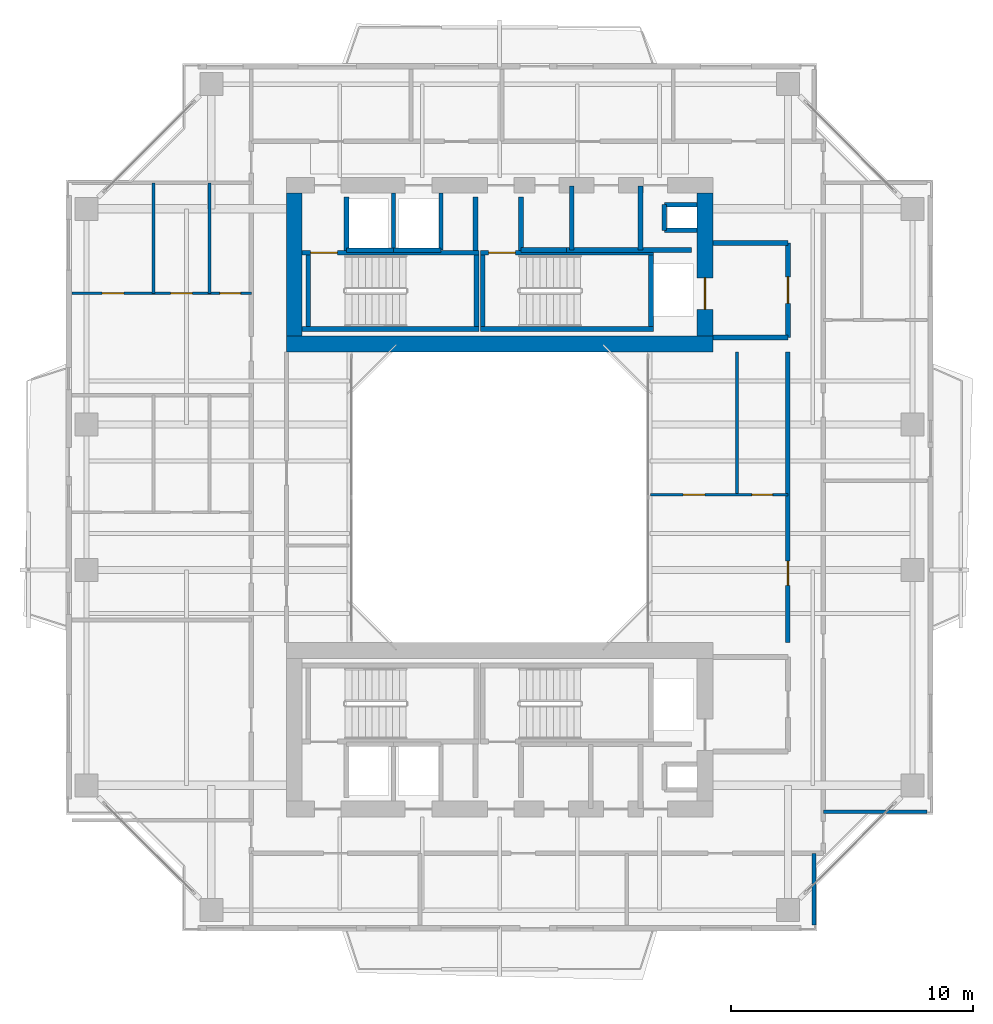
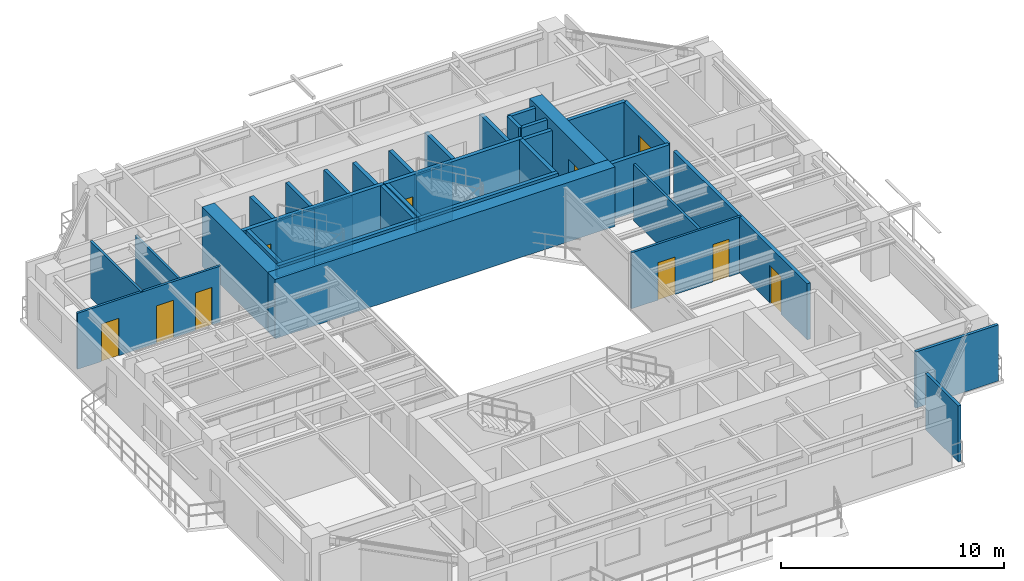
# One storey, part 12 of 17: 36 walls, 10 doors, 10 openings.
"""IFC4 building model written with IfcOpenShell, lengths in metres."""

from ifc_helpers import new_model, si_unit, direction, frame, frame_2d, origin, place, context, subcontext, project, spatial, rectangle, extrude, source, transform, mapped, material, layer, layer_set, type_object, element, fill, save


model = new_model("IFC4")

# Units and contexts
model_context = context("Model", 3, precision=1e-05, world=origin(), true_north=direction((0.0, 1.0)))
body_context = subcontext(model_context, "Body", "Model", "MODEL_VIEW")
ifc_project = project(units=[si_unit("LENGTHUNIT", "METRE"), si_unit("AREAUNIT", "SQUARE_METRE"), si_unit("VOLUMEUNIT", "CUBIC_METRE"), si_unit("PLANEANGLEUNIT", "RADIAN"), si_unit("MASSUNIT", "GRAM", prefix="KILO"), si_unit("THERMODYNAMICTEMPERATUREUNIT", "KELVIN"), si_unit("POWERUNIT", "WATT")], contexts=[model_context])

# Site, building, storey
site_placement = place(None, origin())
site = spatial("IfcSite", under=ifc_project, at=site_placement, CompositionType="ELEMENT")
building_placement = place(site_placement, origin())
building = spatial("IfcBuilding", under=site, at=building_placement, Name="Qiaomeng Ring Towers", CompositionType="ELEMENT")
storey_placement = place(building_placement, frame((0.0, 0.0, 150.25)))
storey = spatial("IfcBuildingStorey", under=building, at=storey_placement, Name="L43", CompositionType="ELEMENT", Elevation=150.25)

# Walls
ifc_material_1 = material(Name="Autoclaved aerated concrete block", Category="concrete")
ifc_layer_1 = layer(ifc_material_1, 0.199951171875, Name="Autoclaved aerated concrete block")
ifc_layer_set_1 = layer_set([ifc_layer_1], Name="Autoclaved aerated concrete block")
wall_type_1 = type_object("IfcWallType", Name="ARC-WL-PW1", PredefinedType="PARTITIONING", material=ifc_layer_set_1)
for number, where, z_axis, x_axis, name in (
    (1, (27.800048828125, 29.60009765625, 0.0), (0.0, 0.0, 1.0), (1.0, 0.0, 0.0), "L43 Interior Wall PW1"),
    (2, (27.800048828125, 33.5, 0.0), (0.0, 0.0, 1.0), (1.0, 0.0, 0.0), "L43 Interior Wall PW1"),
):
    element("IfcWall", number, at=place(storey_placement, frame(where, z_axis=z_axis, x_axis=x_axis)), inside=storey, type_object=wall_type_1, Name=name, PredefinedType="PARTITIONING", context=body_context, shape_type="SweptSolid", body=[
        extrude(rectangle(XDim=3.099853515625, YDim=0.199951171875, at=frame_2d((1.5498046875, 0.0))), origin(), (0.0, 0.0, 1.0), 3.070068359375),
    ])

# Wall, opening, door
wall_1_placement = place(storey_placement, frame((30.89990234375, 29.60009765625, 0.0), z_axis=(0.0, 0.0, 1.0), x_axis=(0.0, 1.0, 0.0)))
wall_1 = element("IfcWall", 3, at=wall_1_placement, inside=storey, type_object=wall_type_1, Name="L43 Interior Wall PW1", PredefinedType="PARTITIONING", context=body_context, shape_type="SweptSolid", body=[
    extrude(rectangle(XDim=3.89990234375, YDim=0.199951171875, at=frame_2d((1.949951171875, 0.0))), origin(), (0.0, 0.0, 1.0), 3.070068359375),
])
opening_1_placement = place(wall_1_placement, frame((1.39990234375, 0.0, 0.0)))
opening_1 = element("IfcOpeningElement", 4, at=opening_1_placement, cuts=wall_1, Name="Opening FD3", PredefinedType="OPENING", context=body_context, shape_type="SweptSolid", body=[
    extrude(rectangle(XDim=1.10009765625, YDim=2.050048828125, at=frame_2d((0.550048828125, 1.02490234375))), frame((0.0, 0.10986328125, 0.0), z_axis=(0.0, -1.0, 0.0), x_axis=(1.0, 0.0, 0.0)), (0.0, 0.0, 1.0), 0.219970703125),
])
ifc_material_2 = material(Name="Galvanised steel", Category="steel")
door_type_1 = type_object("IfcDoorType", Name="ARC-DR-FD3", OperationType="NOTDEFINED", PredefinedType="DOOR", material=ifc_material_2)
shared_shape_1 = source(origin(), body_context, "Body", "SweptSolid", [
    extrude(rectangle(XDim=1.10009765625, YDim=2.050048828125, at=frame_2d((0.550048828125, 1.02490234375))), frame((0.0, 0.02490234375, 0.0), z_axis=(0.0, -1.0, 0.0), x_axis=(1.0, 0.0, 0.0)), (0.0, 0.0, 1.0), 0.050048828125),
])
door_1_placement = place(opening_1_placement, origin())
door_1 = element("IfcDoor", 5, at=door_1_placement, inside=storey, type_object=door_type_1, Name="L43 North FF Lobby Door", OperationType="SINGLE_SWING_RIGHT", OverallHeight=2.050048828125, OverallWidth=1.10009765625, PredefinedType="DOOR", context=body_context, shape_type="MappedRepresentation", body=[
    mapped(shared_shape_1, transform((0.0, 0.0, 0.0), x_axis=(1.0, 0.0, 0.0), y_axis=(0.0, 1.0, 0.0), z_axis=(0.0, 0.0, 1.0), scale=1.0)),
])
fill(opening_1, door_1)

# Walls
for number, where, z_axis, x_axis, name in (
    (6, (12.679931640625, 33.18994140625, 0.0), (0.0, 0.0, 1.0), (0.0, 1.0, 0.0), "L43 Interior Wall PW1"),
    (7, (18.0, 33.18994140625, 0.0), (0.0, 0.0, 1.0), (0.0, 1.0, 0.0), "L43 Interior Wall PW1"),
    (8, (19.8798828125, 33.18994140625, 0.0), (0.0, 0.0, 1.0), (0.0, 1.0, 0.0), "L43 Interior Wall PW1"),
):
    element("IfcWall", number, at=place(storey_placement, frame(where, z_axis=z_axis, x_axis=x_axis)), inside=storey, type_object=wall_type_1, Name=name, PredefinedType="PARTITIONING", context=body_context, shape_type="SweptSolid", body=[
        extrude(rectangle(XDim=2.2099609375, YDim=0.199951171875, at=frame_2d((1.10498046875, 0.0))), origin(), (0.0, 0.0, 1.0), 3.070068359375),
    ])
wall_2_placement = place(storey_placement, frame((24.820068359375, 33.199951171875, 0.0), z_axis=(0.0, 0.0, 1.0), x_axis=(0.0, 1.0, 0.0)))
element("IfcWall", 9, at=wall_2_placement, inside=storey, type_object=wall_type_1, Name="L43 Interior Wall PW1", PredefinedType="PARTITIONING", context=body_context, shape_type="SweptSolid", body=[
    extrude(rectangle(XDim=2.650146484375, YDim=0.199951171875, at=frame_2d((1.3251953125, 0.0))), origin(), (0.0, 0.0, 1.0), 3.070068359375),
])
wall_3_placement = place(storey_placement, frame((19.8798828125, 33.199951171875, 0.0), z_axis=(0.0, 0.0, 1.0), x_axis=(1.0, 0.0, 0.0)))
element("IfcWall", 10, at=wall_3_placement, inside=storey, type_object=wall_type_1, Name="L43 Interior Wall PW1", PredefinedType="PARTITIONING", context=body_context, shape_type="SweptSolid", body=[
    extrude(rectangle(XDim=1.8701171875, YDim=0.199951171875, at=frame_2d((0.93505859375, 0.0))), origin(), (0.0, 0.0, 1.0), 3.070068359375),
])
wall_4_placement = place(storey_placement, frame((21.97998046875, 33.199951171875, 0.0), z_axis=(0.0, 0.0, 1.0), x_axis=(0.0, 1.0, 0.0)))
element("IfcWall", 11, at=wall_4_placement, inside=storey, type_object=wall_type_1, Name="L43 Interior Wall PW1", PredefinedType="PARTITIONING", context=body_context, shape_type="SweptSolid", body=[
    extrude(rectangle(XDim=2.650146484375, YDim=0.199951171875, at=frame_2d((1.3251953125, 0.0))), origin(), (0.0, 0.0, 1.0), 3.070068359375),
])
wall_5_placement = place(storey_placement, frame((21.75, 33.199951171875, 0.0), z_axis=(0.0, 0.0, 1.0), x_axis=(1.0, 0.0, 0.0)))
element("IfcWall", 12, at=wall_5_placement, inside=storey, type_object=wall_type_1, Name="L43 Interior Wall PW1", PredefinedType="PARTITIONING", context=body_context, shape_type="SweptSolid", body=[
    extrude(rectangle(XDim=5.169921875, YDim=0.199951171875, at=frame_2d((2.5849609375, 0.0))), origin(), (0.0, 0.0, 1.0), 3.070068359375),
])

# Wall, opening, door
ifc_layer_2 = layer(ifc_material_1, 0.179931640625, Name="Autoclaved aerated concrete block")
ifc_layer_set_2 = layer_set([ifc_layer_2], Name="Autoclaved aerated concrete block")
wall_type_2 = type_object("IfcWallType", Name="ARC-WL-PW2", PredefinedType="PARTITIONING", material=ifc_layer_set_2)
wall_6_placement = place(storey_placement, frame((30.89990234375, 17.0, 0.0), z_axis=(0.0, 0.0, 1.0), x_axis=(0.0, 1.0, 0.0)))
wall_6 = element("IfcWall", 13, at=wall_6_placement, inside=storey, type_object=wall_type_2, Name="L43 Interior Wall PW2", PredefinedType="PARTITIONING", context=body_context, shape_type="SweptSolid", body=[
    extrude(rectangle(XDim=12.0, YDim=0.179931640625, at=frame_2d((6.0, 0.0))), origin(), (0.0, 0.0, 1.0), 3.070068359375),
])
opening_2_placement = place(wall_6_placement, frame((2.360107421875, 0.0, 0.0)))
opening_2 = element("IfcOpeningElement", 14, at=opening_2_placement, cuts=wall_6, Name="Opening FD4", PredefinedType="OPENING", context=body_context, shape_type="SweptSolid", body=[
    extrude(rectangle(XDim=1.0, YDim=2.050048828125, at=frame_2d((0.5, 1.02490234375))), frame((0.0, 0.099853515625, 0.0), z_axis=(0.0, -1.0, 0.0), x_axis=(1.0, 0.0, 0.0)), (0.0, 0.0, 1.0), 0.199951171875),
])
ifc_material_3 = material(Name="Engineered fire-rated oak timber", Category="wood")
door_type_2 = type_object("IfcDoorType", Name="ARC-DR-FD4", OperationType="NOTDEFINED", PredefinedType="DOOR", material=ifc_material_3)
shared_shape_2 = source(origin(), body_context, "Body", "SweptSolid", [
    extrude(rectangle(XDim=1.0, YDim=2.050048828125, at=frame_2d((0.5, 1.02490234375))), frame((0.0, 0.02490234375, 0.0), z_axis=(0.0, -1.0, 0.0), x_axis=(1.0, 0.0, 0.0)), (0.0, 0.0, 1.0), 0.050048828125),
])
door_2_placement = place(opening_2_placement, origin())
door_2 = element("IfcDoor", 15, at=door_2_placement, inside=storey, type_object=door_type_2, Name="L43 Door FD4", OperationType="SINGLE_SWING_RIGHT", OverallHeight=2.050048828125, OverallWidth=1.0, PredefinedType="DOOR", context=body_context, shape_type="MappedRepresentation", body=[
    mapped(shared_shape_2, transform((0.0, 0.0, 0.0), x_axis=(1.0, 0.0, 0.0), y_axis=(0.0, 1.0, 0.0), z_axis=(0.0, 0.0, 1.0), scale=1.0)),
])
fill(opening_2, door_2)

# Walls
ifc_material_4 = material(Name="Gypsum fireboard steel-stud partition", Category="steel")
ifc_layer_3 = layer(ifc_material_4, 0.14990234375, Name="Gypsum fireboard steel-stud partition")
ifc_layer_set_3 = layer_set([ifc_layer_3], Name="Gypsum fireboard steel-stud partition")
wall_type_3 = type_object("IfcWallType", Name="ARC-WL-PW3", PredefinedType="PARTITIONING", material=ifc_layer_set_3)
wall_7_placement = place(storey_placement, frame((31.97998046875, 5.35009765625, 0.0), z_axis=(0.0, 0.0, 1.0), x_axis=(0.0, 1.0, 0.0)))
element("IfcWall", 16, at=wall_7_placement, inside=storey, type_object=wall_type_3, Name="L43 Interior Wall PW3", PredefinedType="PARTITIONING", context=body_context, shape_type="SweptSolid", body=[
    extrude(rectangle(XDim=2.949951171875, YDim=0.14990234375, at=frame_2d((1.47509765625, 0.0))), origin(), (0.0, 0.0, 1.0), 3.070068359375),
])
wall_8_placement = place(storey_placement, frame((32.360107421875, 10.02001953125, 0.0), z_axis=(0.0, 0.0, 1.0), x_axis=(1.0, 0.0, 0.0)))
element("IfcWall", 17, at=wall_8_placement, inside=storey, type_object=wall_type_3, Name="L43 Interior Wall PW3", PredefinedType="PARTITIONING", context=body_context, shape_type="SweptSolid", body=[
    extrude(rectangle(XDim=4.289794921875, YDim=0.14990234375, at=frame_2d((2.14501953125, 0.0))), origin(), (0.0, 0.0, 1.0), 3.070068359375),
])

# Wall, openings, doors
ifc_material_5 = material(Name="Moisture-resistant gypsum steel-stud partition", Category="steel")
ifc_layer_4 = layer(ifc_material_5, 0.1201171875, Name="Moisture-resistant gypsum steel-stud partition")
ifc_layer_set_4 = layer_set([ifc_layer_4], Name="Moisture-resistant gypsum steel-stud partition")
wall_type_4 = type_object("IfcWallType", Name="ARC-WL-PW4", PredefinedType="PLUMBINGWALL", material=ifc_layer_set_4)
wall_9_placement = place(storey_placement, frame((1.35009765625, 31.419921875, 0.0), z_axis=(0.0, 0.0, 1.0), x_axis=(1.0, 0.0, 0.0)))
wall_9 = element("IfcWall", 18, at=wall_9_placement, inside=storey, type_object=wall_type_4, Name="L43 Interior Wall PW4", PredefinedType="PLUMBINGWALL", context=body_context, shape_type="SweptSolid", body=[
    extrude(rectangle(XDim=7.39990234375, YDim=0.1201171875, at=frame_2d((3.699951171875, 0.0))), origin(), (0.0, 0.0, 1.0), 3.070068359375),
])
opening_3_placement = place(wall_9_placement, frame((1.239990234375, 0.0, 0.0)))
opening_3 = element("IfcOpeningElement", 19, at=opening_3_placement, cuts=wall_9, Name="Opening ID1", PredefinedType="OPENING", context=body_context, shape_type="SweptSolid", body=[
    extrude(rectangle(XDim=0.89990234375, YDim=2.050048828125, at=frame_2d((0.449951171875, 1.02490234375))), frame((0.0, 0.070068359375, 0.0), z_axis=(0.0, -1.0, 0.0), x_axis=(1.0, 0.0, 0.0)), (0.0, 0.0, 1.0), 0.14013671875),
])
opening_4_placement = place(wall_9_placement, frame((4.070068359375, 0.0, 0.0)))
opening_4 = element("IfcOpeningElement", 20, at=opening_4_placement, cuts=wall_9, Name="Opening ID1", PredefinedType="OPENING", context=body_context, shape_type="SweptSolid", body=[
    extrude(rectangle(XDim=0.89990234375, YDim=2.050048828125, at=frame_2d((0.449951171875, 1.02490234375))), frame((0.0, 0.070068359375, 0.0), z_axis=(0.0, -1.0, 0.0), x_axis=(1.0, 0.0, 0.0)), (0.0, 0.0, 1.0), 0.14013671875),
])
opening_5_placement = place(wall_9_placement, frame((6.10498046875, 0.0, 0.0)))
opening_5 = element("IfcOpeningElement", 21, at=opening_5_placement, cuts=wall_9, Name="Opening ID2", PredefinedType="OPENING", context=body_context, shape_type="SweptSolid", body=[
    extrude(rectangle(XDim=0.85009765625, YDim=2.050048828125, at=frame_2d((0.425048828125, 1.02490234375))), frame((0.0, 0.070068359375, 0.0), z_axis=(0.0, -1.0, 0.0), x_axis=(1.0, 0.0, 0.0)), (0.0, 0.0, 1.0), 0.14013671875),
])
ifc_material_6 = material(Name="Moisture-resistant engineered timber", Category="wood")
door_type_3 = type_object("IfcDoorType", Name="ARC-DR-ID2", OperationType="NOTDEFINED", PredefinedType="DOOR", material=ifc_material_6)
shared_shape_3 = source(origin(), body_context, "Body", "SweptSolid", [
    extrude(rectangle(XDim=0.85009765625, YDim=2.050048828125, at=frame_2d((0.425048828125, 1.02490234375))), frame((0.0, 0.02490234375, 0.0), z_axis=(0.0, -1.0, 0.0), x_axis=(1.0, 0.0, 0.0)), (0.0, 0.0, 1.0), 0.050048828125),
])
door_3_placement = place(opening_5_placement, origin())
door_3 = element("IfcDoor", 22, at=door_3_placement, inside=storey, type_object=door_type_3, Name="L43 Door ID2", OperationType="SINGLE_SWING_RIGHT", OverallHeight=2.050048828125, OverallWidth=0.85009765625, PredefinedType="DOOR", context=body_context, shape_type="MappedRepresentation", body=[
    mapped(shared_shape_3, transform((0.0, 0.0, 0.0), x_axis=(1.0, 0.0, 0.0), y_axis=(0.0, 1.0, 0.0), z_axis=(0.0, 0.0, 1.0), scale=1.0)),
])
fill(opening_5, door_3)
ifc_material_7 = material(Name="Engineered oak timber", Category="wood")
door_type_4 = type_object("IfcDoorType", Name="ARC-DR-ID1", OperationType="NOTDEFINED", PredefinedType="DOOR", material=ifc_material_7)
shared_shape_4 = source(origin(), body_context, "Body", "SweptSolid", [
    extrude(rectangle(XDim=0.89990234375, YDim=2.050048828125, at=frame_2d((0.449951171875, 1.02490234375))), frame((0.0, 0.02490234375, 0.0), z_axis=(0.0, -1.0, 0.0), x_axis=(1.0, 0.0, 0.0)), (0.0, 0.0, 1.0), 0.050048828125),
])
door_4_placement = place(opening_3_placement, origin())
door_4 = element("IfcDoor", 23, at=door_4_placement, inside=storey, type_object=door_type_4, Name="L43 Door ID1", OperationType="SINGLE_SWING_RIGHT", OverallHeight=2.050048828125, OverallWidth=0.89990234375, PredefinedType="DOOR", context=body_context, shape_type="MappedRepresentation", body=[
    mapped(shared_shape_4, transform((0.0, 0.0, 0.0), x_axis=(1.0, 0.0, 0.0), y_axis=(0.0, 1.0, 0.0), z_axis=(0.0, 0.0, 1.0), scale=1.0)),
])
fill(opening_3, door_4)
door_5_placement = place(opening_4_placement, origin())
door_5 = element("IfcDoor", 24, at=door_5_placement, inside=storey, type_object=door_type_4, Name="L43 Door ID1", OperationType="SINGLE_SWING_LEFT", OverallHeight=2.050048828125, OverallWidth=0.89990234375, PredefinedType="DOOR", context=body_context, shape_type="MappedRepresentation", body=[
    mapped(shared_shape_4, transform((0.0, 0.0, 0.0), x_axis=(1.0, 0.0, 0.0), y_axis=(0.0, 1.0, 0.0), z_axis=(0.0, 0.0, 1.0), scale=1.0)),
])
fill(opening_4, door_5)

# Walls
wall_10_placement = place(storey_placement, frame((4.7099609375, 31.419921875, 0.0), z_axis=(0.0, 0.0, 1.0), x_axis=(0.0, 1.0, 0.0)))
element("IfcWall", 25, at=wall_10_placement, inside=storey, type_object=wall_type_4, Name="L43 Interior Wall PW4", PredefinedType="PLUMBINGWALL", context=body_context, shape_type="SweptSolid", body=[
    extrude(rectangle(XDim=4.56005859375, YDim=0.1201171875, at=frame_2d((2.280029296875, 0.0))), origin(), (0.0, 0.0, 1.0), 3.070068359375),
])
wall_11_placement = place(storey_placement, frame((7.030029296875, 31.419921875, 0.0), z_axis=(0.0, 0.0, 1.0), x_axis=(0.0, 1.0, 0.0)))
element("IfcWall", 26, at=wall_11_placement, inside=storey, type_object=wall_type_4, Name="L43 Interior Wall PW4", PredefinedType="PLUMBINGWALL", context=body_context, shape_type="SweptSolid", body=[
    extrude(rectangle(XDim=4.56005859375, YDim=0.1201171875, at=frame_2d((2.280029296875, 0.0))), origin(), (0.0, 0.0, 1.0), 2.576904296875),
])

# Wall, openings, doors
wall_12_placement = place(storey_placement, frame((25.219970703125, 23.10009765625, 0.0), z_axis=(0.0, 0.0, 1.0), x_axis=(1.0, 0.0, 0.0)))
wall_12 = element("IfcWall", 27, at=wall_12_placement, inside=storey, type_object=wall_type_4, Name="L43 Interior Wall PW4", PredefinedType="PLUMBINGWALL", context=body_context, shape_type="SweptSolid", body=[
    extrude(rectangle(XDim=5.679931640625, YDim=0.1201171875, at=frame_2d((2.83984375, 0.0))), origin(), (0.0, 0.0, 1.0), 3.070068359375),
])
opening_6_placement = place(wall_12_placement, frame((1.35009765625, 0.0, 0.0)))
opening_6 = element("IfcOpeningElement", 28, at=opening_6_placement, cuts=wall_12, Name="Opening ID1", PredefinedType="OPENING", context=body_context, shape_type="SweptSolid", body=[
    extrude(rectangle(XDim=0.89990234375, YDim=2.050048828125, at=frame_2d((0.449951171875, 1.02490234375))), frame((0.0, 0.070068359375, 0.0), z_axis=(0.0, -1.0, 0.0), x_axis=(1.0, 0.0, 0.0)), (0.0, 0.0, 1.0), 0.14013671875),
])
opening_7_placement = place(wall_12_placement, frame((4.195068359375, 0.0, 0.0)))
opening_7 = element("IfcOpeningElement", 29, at=opening_7_placement, cuts=wall_12, Name="Opening ID2", PredefinedType="OPENING", context=body_context, shape_type="SweptSolid", body=[
    extrude(rectangle(XDim=0.85009765625, YDim=2.050048828125, at=frame_2d((0.425048828125, 1.02490234375))), frame((0.0, 0.070068359375, 0.0), z_axis=(0.0, -1.0, 0.0), x_axis=(1.0, 0.0, 0.0)), (0.0, 0.0, 1.0), 0.14013671875),
])
door_6_placement = place(opening_7_placement, origin())
door_6 = element("IfcDoor", 30, at=door_6_placement, inside=storey, type_object=door_type_3, Name="L43 Door ID2", OperationType="SINGLE_SWING_LEFT", OverallHeight=2.050048828125, OverallWidth=0.85009765625, PredefinedType="DOOR", context=body_context, shape_type="MappedRepresentation", body=[
    mapped(shared_shape_3, transform((0.0, 0.0, 0.0), x_axis=(1.0, 0.0, 0.0), y_axis=(0.0, 1.0, 0.0), z_axis=(0.0, 0.0, 1.0), scale=1.0)),
])
fill(opening_7, door_6)
door_7_placement = place(opening_6_placement, origin())
door_7 = element("IfcDoor", 31, at=door_7_placement, inside=storey, type_object=door_type_4, Name="L43 Door ID1", OperationType="SINGLE_SWING_RIGHT", OverallHeight=2.050048828125, OverallWidth=0.89990234375, PredefinedType="DOOR", context=body_context, shape_type="MappedRepresentation", body=[
    mapped(shared_shape_4, transform((0.0, 0.0, 0.0), x_axis=(1.0, 0.0, 0.0), y_axis=(0.0, 1.0, 0.0), z_axis=(0.0, 0.0, 1.0), scale=1.0)),
])
fill(opening_6, door_7)

# Walls
wall_13_placement = place(storey_placement, frame((28.800048828125, 23.10009765625, 0.0), z_axis=(0.0, 0.0, 1.0), x_axis=(0.0, 1.0, 0.0)))
element("IfcWall", 32, at=wall_13_placement, inside=storey, type_object=wall_type_4, Name="L43 Interior Wall PW4", PredefinedType="PLUMBINGWALL", context=body_context, shape_type="SweptSolid", body=[
    extrude(rectangle(XDim=5.89990234375, YDim=0.1201171875, at=frame_2d((2.949951171875, 0.0))), origin(), (0.0, 0.0, 1.0), 3.070068359375),
])
ifc_material_8 = material(Name="Concrete C40", Category="concrete")
ifc_layer_5 = layer(ifc_material_8, 0.199951171875, Name="Concrete C40")
ifc_layer_set_5 = layer_set([ifc_layer_5], Name="Concrete C40")
wall_type_5 = type_object("IfcWallType", Name="STR-WL-STSHAFT", PredefinedType="SHEAR", material=ifc_layer_set_5)
wall_14_placement = place(storey_placement, frame((12.679931640625, 33.199951171875, 0.0), z_axis=(0.0, 0.0, 1.0), x_axis=(1.0, 0.0, 0.0)))
element("IfcWall", 33, at=wall_14_placement, inside=storey, type_object=wall_type_5, Name="L43 Lift LP5 Shaft Back Wall", PredefinedType="SHEAR", context=body_context, shape_type="SweptSolid", body=[
    extrude(rectangle(XDim=1.940185546875, YDim=0.179931640625, at=frame_2d((0.97021484375, 0.0))), origin(), (0.0, 0.0, 1.0), 3.070068359375),
])
wall_15_placement = place(storey_placement, frame((14.6201171875, 33.199951171875, 0.0), z_axis=(0.0, 0.0, 1.0), x_axis=(0.0, 1.0, 0.0)))
element("IfcWall", 34, at=wall_15_placement, inside=storey, type_object=wall_type_5, Name="L43 Lift LP5-LP3 Shaft Divider Wall", PredefinedType="SHEAR", context=body_context, shape_type="SweptSolid", body=[
    extrude(rectangle(XDim=2.35009765625, YDim=0.179931640625, at=frame_2d((1.175048828125, 0.0))), origin(), (0.0, 0.0, 1.0), 3.070068359375),
])
wall_16_placement = place(storey_placement, frame((25.800048828125, 34.02001953125, 0.0), z_axis=(0.0, 0.0, 1.0), x_axis=(0.0, 1.0, 0.0)))
element("IfcWall", 35, at=wall_16_placement, inside=storey, type_object=wall_type_5, Name="L43 Riser RSR1 West Shaft Wall N", PredefinedType="SHEAR", context=body_context, shape_type="SweptSolid", body=[
    extrude(rectangle(XDim=1.06005859375, YDim=0.179931640625, at=frame_2d((0.530029296875, 0.0))), origin(), (0.0, 0.0, 1.0), 3.070068359375),
])
for number, where, z_axis, x_axis, name in (
    (36, (25.800048828125, 35.080078125, 0.0), (0.0, 0.0, 1.0), (1.0, 0.0, 0.0), "L43 Riser RSR1 North Shaft Wall N"),
    (37, (25.800048828125, 34.02001953125, 0.0), (0.0, 0.0, 1.0), (1.0, 0.0, 0.0), "L43 Riser RSR1 South Shaft Wall N"),
):
    element("IfcWall", number, at=place(storey_placement, frame(where, z_axis=z_axis, x_axis=x_axis)), inside=storey, type_object=wall_type_5, Name=name, PredefinedType="SHEAR", context=body_context, shape_type="SweptSolid", body=[
        extrude(rectangle(XDim=1.349853515625, YDim=0.179931640625, at=frame_2d((0.6748046875, 0.0))), origin(), (0.0, 0.0, 1.0), 3.070068359375),
    ])
wall_17_placement = place(storey_placement, frame((14.6201171875, 33.199951171875, 0.0), z_axis=(0.0, 0.0, 1.0), x_axis=(1.0, 0.0, 0.0)))
element("IfcWall", 38, at=wall_17_placement, inside=storey, type_object=wall_type_5, Name="L43 Lift LP3 Shaft Back Wall", PredefinedType="SHEAR", context=body_context, shape_type="SweptSolid", body=[
    extrude(rectangle(XDim=1.9599609375, YDim=0.179931640625, at=frame_2d((0.97998046875, 0.0))), origin(), (0.0, 0.0, 1.0), 3.070068359375),
])
wall_18_placement = place(storey_placement, frame((16.580078125, 33.199951171875, 0.0), z_axis=(0.0, 0.0, 1.0), x_axis=(0.0, 1.0, 0.0)))
element("IfcWall", 39, at=wall_18_placement, inside=storey, type_object=wall_type_5, Name="L43 Lift LP3 East Shaft Wall", PredefinedType="SHEAR", context=body_context, shape_type="SweptSolid", body=[
    extrude(rectangle(XDim=2.35009765625, YDim=0.179931640625, at=frame_2d((1.175048828125, 0.0))), origin(), (0.0, 0.0, 1.0), 3.070068359375),
])
wall_19_placement = place(storey_placement, frame((10.85009765625, 29.949951171875, 0.0), z_axis=(0.0, 0.0, 1.0), x_axis=(1.0, 0.0, 0.0)))
element("IfcWall", 40, at=wall_19_placement, inside=storey, type_object=wall_type_5, Name="L43 Stair ST1 South Shaft Shear Wall", PredefinedType="SHEAR", context=body_context, shape_type="SweptSolid", body=[
    extrude(rectangle(XDim=7.2998046875, YDim=0.199951171875, at=frame_2d((3.64990234375, 0.0))), origin(), (0.0, 0.0, 1.0), 3.25),
])

# Wall, opening, door
wall_20_placement = place(storey_placement, frame((10.85009765625, 33.090087890625, 0.0), z_axis=(0.0, 0.0, 1.0), x_axis=(1.0, 0.0, 0.0)))
wall_20 = element("IfcWall", 41, at=wall_20_placement, inside=storey, type_object=wall_type_5, Name="L43 Stair ST1 North Shaft Shear Wall", PredefinedType="SHEAR", context=body_context, shape_type="SweptSolid", body=[
    extrude(rectangle(XDim=7.2998046875, YDim=0.199951171875, at=frame_2d((3.64990234375, 0.0))), origin(), (0.0, 0.0, 1.0), 3.25),
])
opening_8_placement = place(wall_20_placement, frame((0.35009765625, 0.0, 0.0)))
opening_8 = element("IfcOpeningElement", 42, at=opening_8_placement, cuts=wall_20, Name="Opening FD3", PredefinedType="OPENING", context=body_context, shape_type="SweptSolid", body=[
    extrude(rectangle(XDim=1.10009765625, YDim=2.050048828125, at=frame_2d((0.550048828125, 1.02490234375))), frame((0.0, 0.10986328125, 0.0), z_axis=(0.0, -1.0, 0.0), x_axis=(1.0, 0.0, 0.0)), (0.0, 0.0, 1.0), 0.219970703125),
])
door_8_placement = place(opening_8_placement, origin())
door_8 = element("IfcDoor", 43, at=door_8_placement, inside=storey, type_object=door_type_1, Name="L43 Stair ST1 Exit Door", OperationType="SINGLE_SWING_LEFT", OverallHeight=2.050048828125, OverallWidth=1.10009765625, PredefinedType="DOOR", context=body_context, shape_type="MappedRepresentation", body=[
    mapped(shared_shape_1, transform((0.0, 0.0, 0.0), x_axis=(1.0, 0.0, 0.0), y_axis=(0.0, 1.0, 0.0), z_axis=(0.0, 0.0, 1.0), scale=1.0)),
])
fill(opening_8, door_8)

# Walls
for number, where, z_axis, x_axis, name in (
    (44, (11.10009765625, 30.050048828125, 0.0), (0.0, 0.0, 1.0), (0.0, 1.0, 0.0), "L43 Stair ST1 West Shaft Shear Wall"),
    (45, (18.050048828125, 30.050048828125, 0.0), (0.0, 0.0, 1.0), (0.0, 1.0, 0.0), "L43 Stair ST1 East Shaft Shear Wall"),
):
    element("IfcWall", number, at=place(storey_placement, frame(where, z_axis=z_axis, x_axis=x_axis)), inside=storey, type_object=wall_type_5, Name=name, PredefinedType="SHEAR", context=body_context, shape_type="SweptSolid", body=[
        extrude(rectangle(XDim=2.93994140625, YDim=0.199951171875, at=frame_2d((1.469970703125, 0.0))), origin(), (0.0, 0.0, 1.0), 3.25),
    ])
wall_21_placement = place(storey_placement, frame((18.199951171875, 29.949951171875, 0.0), z_axis=(0.0, 0.0, 1.0), x_axis=(1.0, 0.0, 0.0)))
element("IfcWall", 46, at=wall_21_placement, inside=storey, type_object=wall_type_5, Name="L43 Stair ST2 South Shaft Shear Wall", PredefinedType="SHEAR", context=body_context, shape_type="SweptSolid", body=[
    extrude(rectangle(XDim=7.150146484375, YDim=0.199951171875, at=frame_2d((3.5751953125, 0.0))), origin(), (0.0, 0.0, 1.0), 3.25),
])

# Wall, opening, door
wall_22_placement = place(storey_placement, frame((18.199951171875, 33.090087890625, 0.0), z_axis=(0.0, 0.0, 1.0), x_axis=(1.0, 0.0, 0.0)))
wall_22 = element("IfcWall", 47, at=wall_22_placement, inside=storey, type_object=wall_type_5, Name="L43 Stair ST2 North Shaft Shear Wall", PredefinedType="SHEAR", context=body_context, shape_type="SweptSolid", body=[
    extrude(rectangle(XDim=7.150146484375, YDim=0.199951171875, at=frame_2d((3.5751953125, 0.0))), origin(), (0.0, 0.0, 1.0), 3.25),
])
opening_9_placement = place(wall_22_placement, frame((0.35009765625, 0.0, 0.0)))
opening_9 = element("IfcOpeningElement", 48, at=opening_9_placement, cuts=wall_22, Name="Opening FD3", PredefinedType="OPENING", context=body_context, shape_type="SweptSolid", body=[
    extrude(rectangle(XDim=1.10009765625, YDim=2.050048828125, at=frame_2d((0.550048828125, 1.02490234375))), frame((0.0, 0.10986328125, 0.0), z_axis=(0.0, -1.0, 0.0), x_axis=(1.0, 0.0, 0.0)), (0.0, 0.0, 1.0), 0.219970703125),
])
door_9_placement = place(opening_9_placement, origin())
door_9 = element("IfcDoor", 49, at=door_9_placement, inside=storey, type_object=door_type_1, Name="L43 Stair ST2 Exit Door", OperationType="SINGLE_SWING_LEFT", OverallHeight=2.050048828125, OverallWidth=1.10009765625, PredefinedType="DOOR", context=body_context, shape_type="MappedRepresentation", body=[
    mapped(shared_shape_1, transform((0.0, 0.0, 0.0), x_axis=(1.0, 0.0, 0.0), y_axis=(0.0, 1.0, 0.0), z_axis=(0.0, 0.0, 1.0), scale=1.0)),
])
fill(opening_9, door_9)

# Walls
for number, where, z_axis, x_axis, name in (
    (50, (18.300048828125, 30.050048828125, 0.0), (0.0, 0.0, 1.0), (0.0, 1.0, 0.0), "L43 Stair ST2 West Shaft Shear Wall"),
    (51, (25.25, 30.050048828125, 0.0), (0.0, 0.0, 1.0), (0.0, 1.0, 0.0), "L43 Stair ST2 East Shaft Shear Wall"),
):
    element("IfcWall", number, at=place(storey_placement, frame(where, z_axis=z_axis, x_axis=x_axis)), inside=storey, type_object=wall_type_5, Name=name, PredefinedType="SHEAR", context=body_context, shape_type="SweptSolid", body=[
        extrude(rectangle(XDim=2.93994140625, YDim=0.199951171875, at=frame_2d((1.469970703125, 0.0))), origin(), (0.0, 0.0, 1.0), 3.25),
    ])
ifc_material_9 = material(Name="Concrete C50", Category="concrete")
ifc_layer_6 = layer(ifc_material_9, 0.64990234375, Name="Concrete C50")
ifc_layer_set_6 = layer_set([ifc_layer_6], Name="Concrete C50")
wall_type_6 = type_object("IfcWallType", Name="STR-WL-SW2B", PredefinedType="SHEAR", material=ifc_layer_set_6)
wall_23_placement = place(storey_placement, frame((10.199951171875, 29.324951171875, 0.0), z_axis=(0.0, 0.0, 1.0), x_axis=(1.0, 0.0, 0.0)))
element("IfcWall", 52, at=wall_23_placement, inside=storey, type_object=wall_type_6, Name="L43 T1NC south core shear wall", PredefinedType="SHEAR", context=body_context, shape_type="SweptSolid", body=[
    extrude(rectangle(XDim=17.60009765625, YDim=0.64990234375, at=frame_2d((8.800048828125, 0.0))), origin(), (0.0, 0.0, 1.0), 3.25),
])
wall_24_placement = place(storey_placement, frame((10.52490234375, 29.64990234375, 0.0), z_axis=(0.0, 0.0, 1.0), x_axis=(0.0, 1.0, 0.0)))
element("IfcWall", 53, at=wall_24_placement, inside=storey, type_object=wall_type_6, Name="L43 T1NC west core shear wall", PredefinedType="SHEAR", context=body_context, shape_type="SweptSolid", body=[
    extrude(rectangle(XDim=5.900146484375, YDim=0.64990234375, at=frame_2d((2.9501953125, 0.0))), origin(), (0.0, 0.0, 1.0), 3.25),
])

# Wall, opening, door
wall_25_placement = place(storey_placement, frame((27.47509765625, 29.64990234375, 0.0), z_axis=(0.0, 0.0, 1.0), x_axis=(0.0, 1.0, 0.0)))
wall_25 = element("IfcWall", 54, at=wall_25_placement, inside=storey, type_object=wall_type_6, Name="L43 T1NC east core shear wall", PredefinedType="SHEAR", context=body_context, shape_type="SweptSolid", body=[
    extrude(rectangle(XDim=5.900146484375, YDim=0.64990234375, at=frame_2d((2.9501953125, 0.0))), origin(), (0.0, 0.0, 1.0), 3.25),
])
opening_10_placement = place(wall_25_placement, frame((1.10009765625, 0.0, 0.0)))
opening_10 = element("IfcOpeningElement", 55, at=opening_10_placement, cuts=wall_25, Name="Opening LD2", PredefinedType="OPENING", context=body_context, shape_type="SweptSolid", body=[
    extrude(rectangle(XDim=1.300048828125, YDim=2.050048828125, at=frame_2d((0.64990234375, 1.02490234375))), frame((0.0, 0.3349609375, 0.0), z_axis=(0.0, -1.0, 0.0), x_axis=(1.0, 0.0, 0.0)), (0.0, 0.0, 1.0), 0.669921875),
])
ifc_material_10 = material(Name="Stainless steel 316", Category="steel")
door_type_5 = type_object("IfcDoorType", Name="ARC-DR-LD2", OperationType="NOTDEFINED", PredefinedType="DOOR", material=ifc_material_10)
shared_shape_5 = source(origin(), body_context, "Body", "SweptSolid", [
    extrude(rectangle(XDim=1.300048828125, YDim=2.050048828125, at=frame_2d((0.64990234375, 1.02490234375))), frame((0.0, 0.02490234375, 0.0), z_axis=(0.0, -1.0, 0.0), x_axis=(1.0, 0.0, 0.0)), (0.0, 0.0, 1.0), 0.050048828125),
])
door_10_placement = place(opening_10_placement, origin())
door_10 = element("IfcDoor", 56, at=door_10_placement, inside=storey, type_object=door_type_5, Name="L43 Firefighting Lift FL1 Landing Door", OperationType="SLIDING_TO_LEFT", OverallHeight=2.050048828125, OverallWidth=1.300048828125, PredefinedType="DOOR", context=body_context, shape_type="MappedRepresentation", body=[
    mapped(shared_shape_5, transform((0.0, 0.0, 0.0), x_axis=(1.0, 0.0, 0.0), y_axis=(0.0, 1.0, 0.0), z_axis=(0.0, 0.0, 1.0), scale=1.0)),
])
fill(opening_10, door_10)

save(model, "model.ifc")
